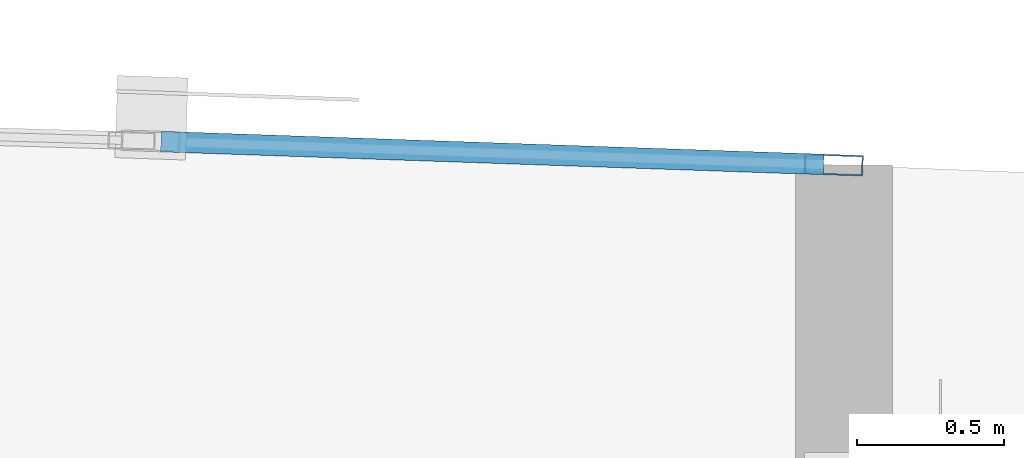
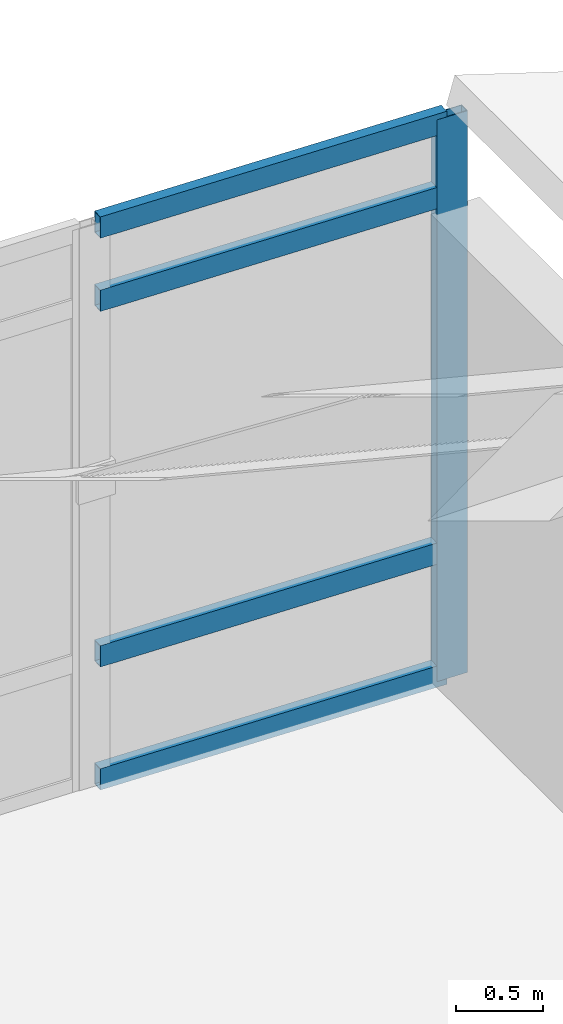
# One storey, part 15 of 24: 5 members, 1 element without a shape of its own.
"""IFC4 building model written with IfcOpenShell, lengths in metres."""

from ifc_helpers import new_model, si_unit, direction, frame, origin, origin_2d, place, context, subcontext, project, spatial, hollow_rectangle, extrude, material, layer, layer_set, material_profile, profile_set, type_object, element, aggregate, save


model = new_model("IFC4")

# Units and contexts
model_context = context("Model", 3, precision=1e-05, world=origin(), true_north=direction((0.0, 1.0)))
body_context = subcontext(model_context, "Body", "Model", "MODEL_VIEW")
ifc_project = project(units=[si_unit("LENGTHUNIT", "METRE"), si_unit("AREAUNIT", "SQUARE_METRE"), si_unit("VOLUMEUNIT", "CUBIC_METRE"), si_unit("PLANEANGLEUNIT", "RADIAN"), si_unit("MASSUNIT", "GRAM", prefix="KILO")], contexts=[model_context])

# Site, building, storey
site_placement = place(None, origin())
site = spatial("IfcSite", under=ifc_project, at=site_placement, CompositionType="ELEMENT")
building_placement = place(site_placement, origin())
building = spatial("IfcBuilding", under=site, at=building_placement, Name="Carrowvane Square Congress Hotel", CompositionType="ELEMENT")
storey_placement = place(building_placement, frame((0.0, 0.0, 44.39990234375)))
storey = spatial("IfcBuildingStorey", under=building, at=storey_placement, Name="L11", CompositionType="ELEMENT", Elevation=44.39990234375)

# Curtain wall, members
ifc_material_1 = material(Name="Anodised aluminium", Category="aluminium")
ifc_layer = layer(ifc_material_1, 0.197998046875)
ifc_layer_set = layer_set([ifc_layer], Name="Anodised aluminium")
curtain_wall_type = type_object("IfcCurtainWallType", Name="CW-SYS-4", PredefinedType="NOTDEFINED", material=ifc_layer_set)
curtain_wall_placement = place(storey_placement, origin())
curtain_wall = element("IfcCurtainWall", 1, at=curtain_wall_placement, inside=storey, type_object=curtain_wall_type, Name="L11 unitised curtain wall 611", PredefinedType="NOTDEFINED")
ifc_material_2 = material(Name="Anodised aluminium", Category="aluminium")
ifc_material_profile_1 = material_profile(ifc_material_2, hollow_rectangle(XDim=0.070068359375, YDim=0.199951171875, WallThickness=0.0048828125, at=origin_2d()), Name="CW-ML 70x200x5")
ifc_profile_set_1 = profile_set([ifc_material_profile_1], Name="Anodised aluminium")
member_type_1 = type_object("IfcMemberType", Name="CW-MUL-2", PredefinedType="MULLION", material=ifc_profile_set_1)
member_1_placement = place(storey_placement, frame((112.364990234375, 116.3251953125, 0.0), z_axis=(0.0, 0.0, 1.0), x_axis=(0.034525669067, 0.999403811367, 0.0)))
member_1 = element("IfcMember", 2, at=member_1_placement, type_object=member_type_1, Name="CW-4 mullion 2", PredefinedType="MULLION", context=body_context, shape_type="SweptSolid", body=[
    extrude(hollow_rectangle(XDim=0.070068359375, YDim=0.199951171875, WallThickness=0.0048828125, at=origin_2d()), origin(), (0.0, 0.0, 1.0), 3.9501953125),
])
ifc_material_3 = material(Name="Anodised aluminium", Category="aluminium")
ifc_material_profile_2 = material_profile(ifc_material_3, hollow_rectangle(XDim=0.070068359375, YDim=0.14990234375, WallThickness=0.0048828125, at=origin_2d()), Name="CW-TR 70x150x5")
ifc_profile_set_2 = profile_set([ifc_material_profile_2], Name="Anodised aluminium")
member_type_2 = type_object("IfcMemberType", Name="CW-TRN-2", PredefinedType="USERDEFINED", material=ifc_profile_set_2)
member_2_placement = place(storey_placement, frame((110.070068359375, 116.404541015625, 0.03515625), z_axis=(0.999403046617, -0.034547798954, 0.0), x_axis=(0.034547798954, 0.999403046617, 0.0)))
member_2 = element("IfcMember", 3, at=member_2_placement, type_object=member_type_2, Name="CW-4 transom 1.1", ObjectType="TRANSOM", PredefinedType="USERDEFINED", context=body_context, shape_type="SweptSolid", body=[
    extrude(hollow_rectangle(XDim=0.070068359375, YDim=0.14990234375, WallThickness=0.0048828125, at=origin_2d()), origin(), (0.0, 0.0, 1.0), 2.261474609375),
])
member_3_placement = place(storey_placement, frame((110.070068359375, 116.404541015625, 0.900146484375), z_axis=(0.999403046617, -0.034547798954, 0.0), x_axis=(0.034547798954, 0.999403046617, 0.0)))
member_3 = element("IfcMember", 4, at=member_3_placement, type_object=member_type_2, Name="CW-4 transom 1.2", ObjectType="TRANSOM", PredefinedType="USERDEFINED", context=body_context, shape_type="SweptSolid", body=[
    extrude(hollow_rectangle(XDim=0.070068359375, YDim=0.14990234375, WallThickness=0.0048828125, at=origin_2d()), origin(), (0.0, 0.0, 1.0), 2.261474609375),
])
member_4_placement = place(storey_placement, frame((110.070068359375, 116.404541015625, 3.400146484375), z_axis=(0.999403046617, -0.034547798954, 0.0), x_axis=(0.034547798954, 0.999403046617, 0.0)))
member_4 = element("IfcMember", 5, at=member_4_placement, type_object=member_type_2, Name="CW-4 transom 1.3", ObjectType="TRANSOM", PredefinedType="USERDEFINED", context=body_context, shape_type="SweptSolid", body=[
    extrude(hollow_rectangle(XDim=0.070068359375, YDim=0.14990234375, WallThickness=0.0048828125, at=origin_2d()), origin(), (0.0, 0.0, 1.0), 2.261474609375),
])
member_5_placement = place(storey_placement, frame((110.070068359375, 116.404541015625, 3.9150390625), z_axis=(0.999403046617, -0.034547798954, 0.0), x_axis=(0.034547798954, 0.999403046617, 0.0)))
member_5 = element("IfcMember", 6, at=member_5_placement, type_object=member_type_2, Name="CW-4 transom 1.4", ObjectType="TRANSOM", PredefinedType="USERDEFINED", context=body_context, shape_type="SweptSolid", body=[
    extrude(hollow_rectangle(XDim=0.070068359375, YDim=0.14990234375, WallThickness=0.0048828125, at=origin_2d()), origin(), (0.0, 0.0, 1.0), 2.261474609375),
])
aggregate(curtain_wall, [member_1, member_2, member_3, member_4, member_5])

save(model, "model.ifc")
